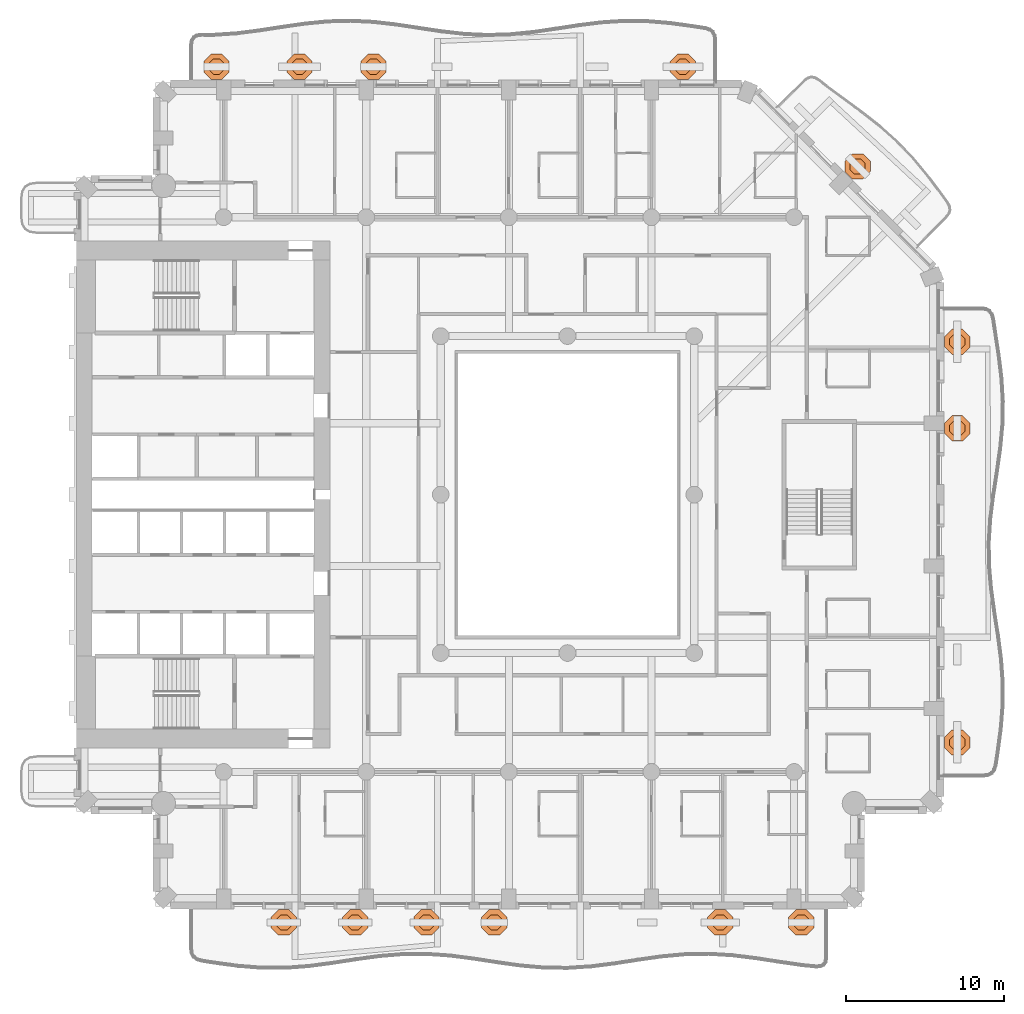
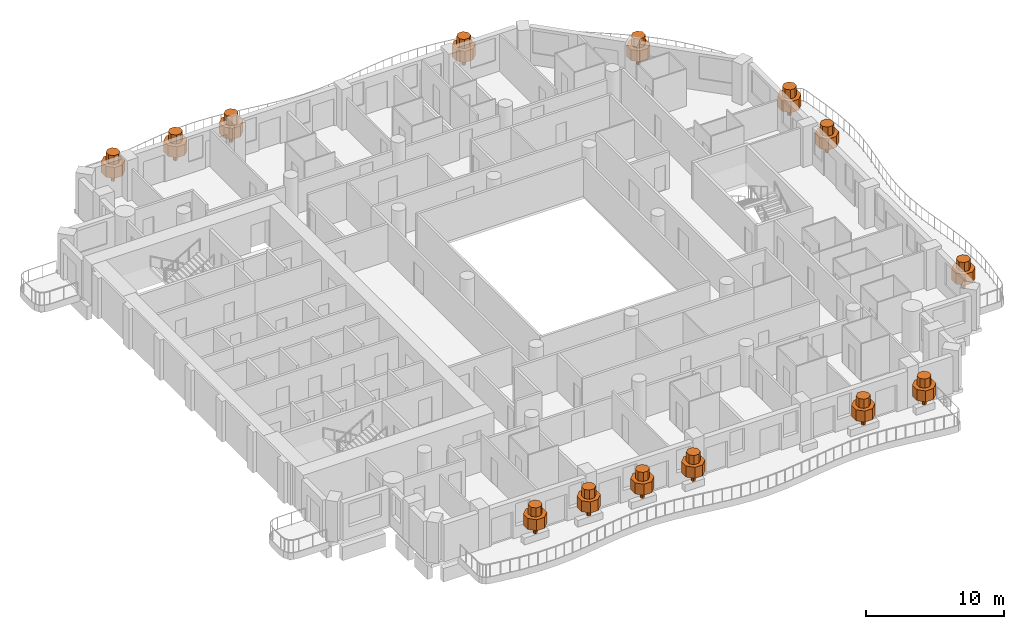
# One storey, part 20 of 20: 14 geographic elements.
"""IFC4 building model written with IfcOpenShell, lengths in metres."""

from ifc_helpers import new_model, si_unit, direction, frame, origin, place, context, subcontext, project, spatial, polyline, outline, extrude, material, type_object, element, save


model = new_model("IFC4")

# Units and contexts
model_context = context("Model", 3, precision=1e-05, world=origin(), true_north=direction((0.0, 1.0)))
body_context = subcontext(model_context, "Body", "Model", "MODEL_VIEW")
ifc_project = project(units=[si_unit("LENGTHUNIT", "METRE"), si_unit("AREAUNIT", "SQUARE_METRE"), si_unit("VOLUMEUNIT", "CUBIC_METRE"), si_unit("PLANEANGLEUNIT", "RADIAN"), si_unit("MASSUNIT", "GRAM", prefix="KILO")], contexts=[model_context])

# Site, building, storey
site_placement = place(None, origin())
site = spatial("IfcSite", under=ifc_project, at=site_placement, CompositionType="ELEMENT")
building_placement = place(site_placement, origin())
building = spatial("IfcBuilding", under=site, at=building_placement, Name="Cypress Arch Tower", CompositionType="ELEMENT")
storey_placement = place(building_placement, frame((0.0, 0.0, 134.699951171875)))
storey = spatial("IfcBuildingStorey", under=building, at=storey_placement, Name="L29", CompositionType="ELEMENT", Elevation=134.699951171875)

# Geographic elements
ifc_material = material(Name="Foliage and planting")
geographic_element_type = type_object("IfcGeographicElementType", Name="Balcony tree TR", PredefinedType="USERDEFINED", material=ifc_material)
for number, where, z_axis, x_axis, name in (
    (1, (-16.89990234375, -27.0, 0.60009765625), (0.0, 0.0, 1.0), (1.0, 0.0, 0.0), "Balcony tree L29-A03.1"),
    (2, (-12.39990234375, -27.0, 0.60009765625), (0.0, 0.0, 1.0), (1.0, 0.0, 0.0), "Balcony tree L29-A03.2"),
    (3, (-7.89990234375, -27.0, 0.60009765625), (0.0, 0.0, 1.0), (1.0, 0.0, 0.0), "Balcony tree L29-A03.3"),
    (4, (-3.625, -27.0, 0.60009765625), (0.0, 0.0, 1.0), (1.0, 0.0, 0.0), "Balcony tree L29-A03.4"),
    (5, (10.639892578125, -27.0, 0.60009765625), (0.0, 0.0, 1.0), (1.0, 0.0, 0.0), "Balcony tree L29-A03.6"),
    (6, (15.75, -27.0, 0.60009765625), (0.0, 0.0, 1.0), (1.0, 0.0, 0.0), "Balcony tree L29-A03.7"),
    (7, (25.60009765625, -15.642822265625, 0.60009765625), (0.0, 0.0, 1.0), (1.0, 0.0, 0.0), "Balcony tree L29-A06.1"),
    (8, (25.60009765625, 4.1826171875, 0.60009765625), (0.0, 0.0, 1.0), (1.0, 0.0, 0.0), "Balcony tree L29-A06.3"),
    (9, (25.60009765625, 9.642822265625, 0.60009765625), (0.0, 0.0, 1.0), (1.0, 0.0, 0.0), "Balcony tree L29-A06.4"),
    (10, (19.30712890625, 20.70703125, 0.60009765625), (0.0, 0.0, 1.0), (1.0, 0.0, 0.0), "Balcony tree L29-A07.2"),
    (11, (8.28125, 27.0, 0.60009765625), (0.0, 0.0, 1.0), (1.0, 0.0, 0.0), "Balcony tree L29-A08.1"),
    (12, (-11.24365234375, 27.0, 0.60009765625), (0.0, 0.0, 1.0), (1.0, 0.0, 0.0), "Balcony tree L29-A08.4"),
    (13, (-15.91259765625, 27.0, 0.60009765625), (0.0, 0.0, 1.0), (1.0, 0.0, 0.0), "Balcony tree L29-A08.5"),
    (14, (-21.14990234375, 27.0, 0.60009765625), (0.0, 0.0, 1.0), (1.0, 0.0, 0.0), "Balcony tree L29-A08.6"),
):
    element("IfcGeographicElement", number, at=place(storey_placement, frame(where, z_axis=z_axis, x_axis=x_axis)), inside=storey, type_object=geographic_element_type, Name=name, ObjectType="TREE", PredefinedType="USERDEFINED", context=body_context, shape_type="SweptSolid", body=[
        extrude(outline(polyline([(0.14990234375, 0.06201171875), (0.06201171875, 0.14990234375), (-0.06201171875, 0.14990234375), (-0.14990234375, 0.06201171875), (-0.14990234375, -0.06201171875), (-0.06201171875, -0.14990234375), (0.06201171875, -0.14990234375), (0.14990234375, -0.06201171875), (0.14990234375, 0.06201171875)])), origin(), (0.0, 0.0, 1.0), 0.864990234375),
        extrude(outline(polyline([(0.800048828125, 0.331298828125), (0.331298828125, 0.800048828125), (-0.331298828125, 0.800048828125), (-0.800048828125, 0.331298828125), (-0.800048828125, -0.331298828125), (-0.331298828125, -0.800048828125), (0.331298828125, -0.800048828125), (0.800048828125, -0.331298828125), (0.800048828125, 0.331298828125)])), frame((0.0, 0.0, 0.764892578125)), (0.0, 0.0, 1.0), 0.981689453125),
        extrude(outline(polyline([(0.47998046875, 0.19873046875), (0.19873046875, 0.47998046875), (-0.19873046875, 0.47998046875), (-0.47998046875, 0.19873046875), (-0.47998046875, -0.19873046875), (-0.19873046875, -0.47998046875), (0.19873046875, -0.47998046875), (0.47998046875, -0.19873046875), (0.47998046875, 0.19873046875)])), frame((0.0, 0.0, 1.746826171875)), (0.0, 0.0, 1.0), 0.80322265625),
    ])

save(model, "model.ifc")
